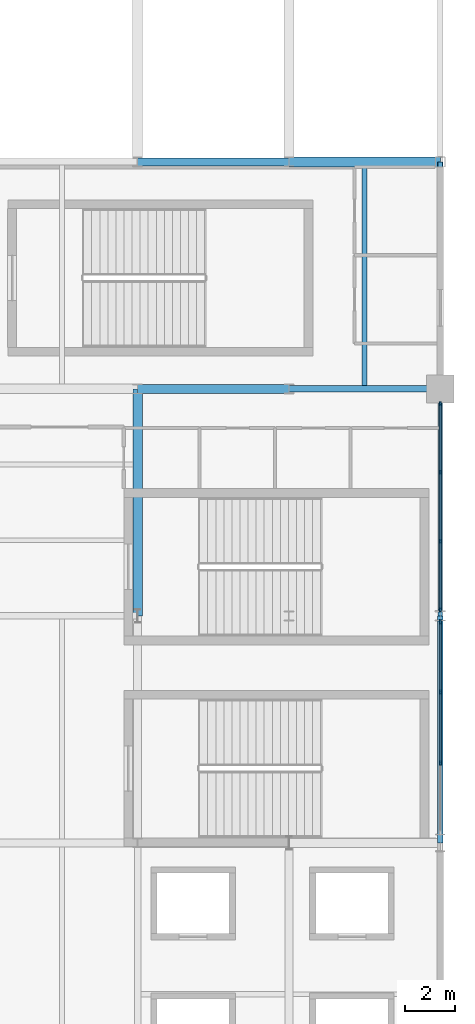
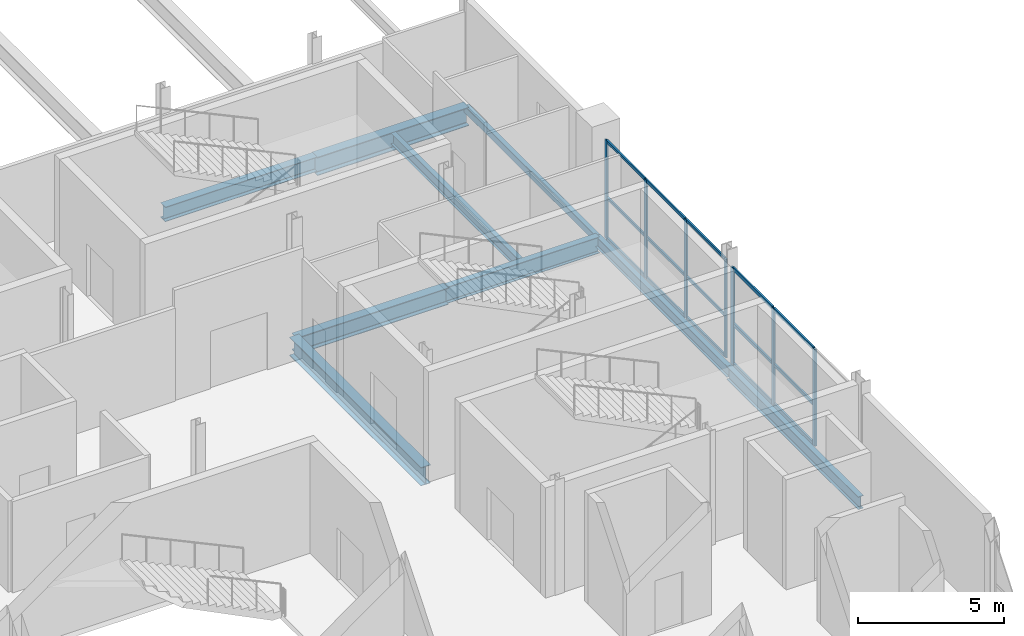
# One storey, part 157 of 224: 22 members, 9 beams, 2 elements without a shape of their own.
"""IFC4 building model written with IfcOpenShell, lengths in metres."""

from ifc_helpers import new_model, si_unit, direction, frame, origin, origin_2d, place, context, subcontext, project, spatial, rectangle, hollow_rectangle, i_section, extrude, material, layer, layer_set, material_profile, profile_set, type_object, element, aggregate, save


model = new_model("IFC4")

# Units and contexts
model_context = context("Model", 3, precision=1e-05, world=origin(), true_north=direction((0.0, 1.0)))
body_context = subcontext(model_context, "Body", "Model", "MODEL_VIEW")
ifc_project = project(units=[si_unit("LENGTHUNIT", "METRE"), si_unit("AREAUNIT", "SQUARE_METRE"), si_unit("VOLUMEUNIT", "CUBIC_METRE"), si_unit("PLANEANGLEUNIT", "RADIAN"), si_unit("MASSUNIT", "GRAM", prefix="KILO")], contexts=[model_context])

# Site, building, storey
site_placement = place(None, origin())
site = spatial("IfcSite", under=ifc_project, at=site_placement, CompositionType="ELEMENT")
building_placement = place(site_placement, origin())
building = spatial("IfcBuilding", under=site, at=building_placement, Name="Qamarlyn Nura Convention Centre", CompositionType="ELEMENT")
storey_placement = place(building_placement, frame((0.0, 0.0, 10.800048828125)))
storey = spatial("IfcBuildingStorey", under=building, at=storey_placement, Name="L02", CompositionType="ELEMENT", Elevation=10.800048828125)

# Beams
ifc_material_1 = material(Name="Steel ASTM A992", Category="steel")
ifc_material_profile_1 = material_profile(ifc_material_1, i_section(OverallWidth=0.323974609375, OverallDepth=0.611083984375, WebThickness=0.0126953125, FlangeThickness=0.01904296875, FilletRadius=0.01611328125, at=origin_2d()), Name="W610X155")
ifc_profile_set_1 = profile_set([ifc_material_profile_1], Name="Steel ASTM A992")
beam_type_1 = type_object("IfcBeamType", Name="BM-GIRD-610", PredefinedType="BEAM", material=ifc_profile_set_1)
beam_1_placement = place(storey_placement, frame((180.0, 90.0, -0.525634765625), z_axis=(1.0, 0.0, 0.0), x_axis=(0.0, 1.0, 0.0)))
element("IfcBeam", 1, at=beam_1_placement, inside=storey, type_object=beam_type_1, Name="L02 girder L 16-17", PredefinedType="BEAM", context=body_context, shape_type="SweptSolid", body=[
    extrude(i_section(OverallWidth=0.323974609375, OverallDepth=0.611083984375, WebThickness=0.0126953125, FlangeThickness=0.01904296875, FilletRadius=0.01611328125, at=origin_2d()), origin(), (0.0, 0.0, 1.0), 6.0),
])
ifc_material_profile_2 = material_profile(ifc_material_1, i_section(OverallWidth=0.35498046875, OverallDepth=0.695068359375, WebThickness=0.015380859375, FlangeThickness=0.02490234375, FilletRadius=0.01806640625, at=origin_2d()), Name="W690X217")
ifc_profile_set_2 = profile_set([ifc_material_profile_2], Name="Steel ASTM A992")
beam_type_2 = type_object("IfcBeamType", Name="BM-GIRD-690A", PredefinedType="BEAM", material=ifc_profile_set_2)
beam_2_placement = place(storey_placement, frame((180.0, 81.0, -0.567626953125), z_axis=(1.0, 0.0, 0.0), x_axis=(0.0, 1.0, 0.0)))
element("IfcBeam", 2, at=beam_2_placement, inside=storey, type_object=beam_type_2, Name="L02 girder K 16-17", PredefinedType="BEAM", context=body_context, shape_type="SweptSolid", body=[
    extrude(i_section(OverallWidth=0.35498046875, OverallDepth=0.695068359375, WebThickness=0.015380859375, FlangeThickness=0.02490234375, FilletRadius=0.01806640625, at=origin_2d()), origin(), (0.0, 0.0, 1.0), 6.0),
])
ifc_material_profile_3 = material_profile(ifc_material_1, i_section(OverallWidth=0.25390625, OverallDepth=0.68408203125, WebThickness=0.012451171875, FlangeThickness=0.01904296875, FilletRadius=0.01806640625, at=origin_2d()), Name="W690X140")
ifc_profile_set_3 = profile_set([ifc_material_profile_3], Name="Steel ASTM A992")
beam_type_3 = type_object("IfcBeamType", Name="BM-GIRD-690B", PredefinedType="BEAM", material=ifc_profile_set_3)
beam_3_placement = place(storey_placement, frame((186.0, 81.0, -0.56201171875), z_axis=(1.0, 0.0, 0.0), x_axis=(0.0, 1.0, 0.0)))
element("IfcBeam", 3, at=beam_3_placement, inside=storey, type_object=beam_type_3, Name="L02 girder K 17-18", PredefinedType="BEAM", context=body_context, shape_type="SweptSolid", body=[
    extrude(i_section(OverallWidth=0.25390625, OverallDepth=0.68408203125, WebThickness=0.012451171875, FlangeThickness=0.01904296875, FilletRadius=0.01806640625, at=origin_2d()), origin(), (0.0, 0.0, 1.0), 6.0),
])
ifc_material_profile_4 = material_profile(ifc_material_1, i_section(OverallWidth=0.381103515625, OverallDepth=0.77294921875, WebThickness=0.0166015625, FlangeThickness=0.027587890625, FilletRadius=0.02001953125, at=origin_2d()), Name="W760X257")
ifc_profile_set_4 = profile_set([ifc_material_profile_4], Name="Steel ASTM A992")
beam_type_4 = type_object("IfcBeamType", Name="BM-GIRD-760", PredefinedType="BEAM", material=ifc_profile_set_4)
beam_4_placement = place(storey_placement, frame((186.0, 90.0, -0.6064453125), z_axis=(1.0, 0.0, 0.0), x_axis=(0.0, 1.0, 0.0)))
element("IfcBeam", 4, at=beam_4_placement, inside=storey, type_object=beam_type_4, Name="L02 girder L 17-18", PredefinedType="BEAM", context=body_context, shape_type="SweptSolid", body=[
    extrude(i_section(OverallWidth=0.381103515625, OverallDepth=0.77294921875, WebThickness=0.0166015625, FlangeThickness=0.027587890625, FilletRadius=0.02001953125, at=origin_2d()), origin(), (0.0, 0.0, 1.0), 6.0),
])
beam_5_placement = place(storey_placement, frame((180.0, 72.0, -0.6064453125), z_axis=(0.0, 1.0, 0.0), x_axis=(-1.0, 0.0, 0.0)))
element("IfcBeam", 5, at=beam_5_placement, inside=storey, type_object=beam_type_4, Name="L02 girder 16 J-K", PredefinedType="BEAM", context=body_context, shape_type="SweptSolid", body=[
    extrude(i_section(OverallWidth=0.381103515625, OverallDepth=0.77294921875, WebThickness=0.0166015625, FlangeThickness=0.027587890625, FilletRadius=0.02001953125, at=origin_2d()), origin(), (0.0, 0.0, 1.0), 9.0),
])
ifc_material_profile_5 = material_profile(ifc_material_1, i_section(OverallWidth=0.18994140625, OverallDepth=0.45703125, WebThickness=0.009033203125, FlangeThickness=0.014404296875, FilletRadius=0.012939453125, at=origin_2d()), Name="W460X74")
ifc_profile_set_5 = profile_set([ifc_material_profile_5], Name="Steel ASTM A992")
beam_type_5 = type_object("IfcBeamType", Name="BM-JOIST-460", PredefinedType="JOIST", material=ifc_profile_set_5)
beam_6_placement = place(storey_placement, frame((189.0, 81.126953125, -0.448486328125), z_axis=(0.0, 1.0, 0.0), x_axis=(-1.0, 0.0, 0.0)))
element("IfcBeam", 6, at=beam_6_placement, inside=storey, type_object=beam_type_5, Name="L02 secondary joist 17-18/K-L-41", PredefinedType="JOIST", context=body_context, shape_type="SweptSolid", body=[
    extrude(i_section(OverallWidth=0.18994140625, OverallDepth=0.45703125, WebThickness=0.009033203125, FlangeThickness=0.014404296875, FilletRadius=0.012939453125, at=origin_2d()), origin(), (0.0, 0.0, 1.0), 8.6826171875),
])
ifc_material_profile_6 = material_profile(ifc_material_1, i_section(OverallWidth=0.193115234375, OverallDepth=0.466064453125, WebThickness=0.011474609375, FlangeThickness=0.01904296875, FilletRadius=0.012939453125, at=origin_2d()), Name="W460X97")
ifc_profile_set_6 = profile_set([ifc_material_profile_6], Name="Steel ASTM A992")
beam_type_6 = type_object("IfcBeamType", Name="BM-SPAN-460", PredefinedType="SPANDREL", material=ifc_profile_set_6)
beam_7_placement = place(storey_placement, frame((192.0, 72.0, -0.453125), z_axis=(0.0, 1.0, 0.0), x_axis=(-1.0, 0.0, 0.0)))
element("IfcBeam", 7, at=beam_7_placement, inside=storey, type_object=beam_type_6, Name="L02 girder 18 J-K", PredefinedType="SPANDREL", context=body_context, shape_type="SweptSolid", body=[
    extrude(i_section(OverallWidth=0.193115234375, OverallDepth=0.466064453125, WebThickness=0.011474609375, FlangeThickness=0.01904296875, FilletRadius=0.012939453125, at=origin_2d()), origin(), (0.0, 0.0, 1.0), 9.0),
])
ifc_material_profile_7 = material_profile(ifc_material_1, i_section(OverallWidth=0.2109375, OverallDepth=0.5390625, WebThickness=0.01171875, FlangeThickness=0.018798828125, FilletRadius=0.013916015625, at=origin_2d()), Name="W530X109")
ifc_profile_set_7 = profile_set([ifc_material_profile_7], Name="Steel ASTM A992")
beam_type_7 = type_object("IfcBeamType", Name="BM-SPAN-530", PredefinedType="SPANDREL", material=ifc_profile_set_7)
beam_8_placement = place(storey_placement, frame((192.0, 63.0, -0.489501953125), z_axis=(0.0, 1.0, 0.0), x_axis=(-1.0, 0.0, 0.0)))
element("IfcBeam", 8, at=beam_8_placement, inside=storey, type_object=beam_type_7, Name="L02 girder 18 H-J", PredefinedType="SPANDREL", context=body_context, shape_type="SweptSolid", body=[
    extrude(i_section(OverallWidth=0.2109375, OverallDepth=0.5390625, WebThickness=0.01171875, FlangeThickness=0.018798828125, FilletRadius=0.013916015625, at=origin_2d()), origin(), (0.0, 0.0, 1.0), 9.0),
])
ifc_material_2 = material(Name="Steel ASTM A500 Grade C", Category="steel")
ifc_material_profile_8 = material_profile(ifc_material_2, hollow_rectangle(XDim=0.199951171875, YDim=0.300048828125, WallThickness=0.012451171875, InnerFilletRadius=0.012451171875, OuterFilletRadius=0.02490234375, at=origin_2d()), Name="HSS300X200X12.5")
ifc_profile_set_8 = profile_set([ifc_material_profile_8], Name="Steel ASTM A500 Grade C")
beam_type_8 = type_object("IfcBeamType", Name="BM-SPAN-HSS", PredefinedType="SPANDREL", material=ifc_profile_set_8)
beam_9_placement = place(storey_placement, frame((192.0, 81.0, -0.3701171875), z_axis=(0.0, 1.0, 0.0), x_axis=(-1.0, 0.0, 0.0)))
element("IfcBeam", 9, at=beam_9_placement, inside=storey, type_object=beam_type_8, Name="L02 girder 18 K-L", PredefinedType="SPANDREL", context=body_context, shape_type="SweptSolid", body=[
    extrude(hollow_rectangle(XDim=0.199951171875, YDim=0.300048828125, WallThickness=0.012451171875, InnerFilletRadius=0.012451171875, OuterFilletRadius=0.02490234375, at=origin_2d()), origin(), (0.0, 0.0, 1.0), 9.0),
])

# Curtain wall, members
ifc_material_3 = material(Name="Double-silver low-E insulated glass", Category="glass")
ifc_layer_1 = layer(ifc_material_3, 0.179931640625, Name="CW-UNIT-94")
ifc_layer_set_1 = layer_set([ifc_layer_1], Name="Double-silver low-E insulated glass")
curtain_wall_type_1 = type_object("IfcCurtainWallType", Name="CW-UNIT-94", PredefinedType="NOTDEFINED", material=ifc_layer_set_1)
curtain_wall_1_placement = place(storey_placement, origin())
curtain_wall_1 = element("IfcCurtainWall", 10, at=curtain_wall_1_placement, inside=storey, type_object=curtain_wall_type_1, Name="L02 unitised curtain wall EAST-9-1", PredefinedType="NOTDEFINED")
ifc_material_4 = material(Name="Champagne-anodised marine aluminium", Category="aluminium")
ifc_material_profile_9 = material_profile(ifc_material_4, rectangle(XDim=0.06494140625, YDim=0.159912109375, at=origin_2d()), Name="ALU MULLION 65x160")
ifc_profile_set_9 = profile_set([ifc_material_profile_9], Name="Champagne-anodised marine aluminium")
member_type_1 = type_object("IfcMemberType", Name="CWM-160", PredefinedType="MULLION", material=ifc_profile_set_9)
member_1_placement = place(storey_placement, frame((192.0, 80.41748046875, 0.0), z_axis=(0.0, 0.0, 1.0), x_axis=(1.0, 0.0, 0.0)))
member_1 = element("IfcMember", 11, at=member_1_placement, type_object=member_type_1, Name="CW94 mullion 1", PredefinedType="MULLION", context=body_context, shape_type="SweptSolid", body=[
    extrude(rectangle(XDim=0.06494140625, YDim=0.159912109375, at=origin_2d()), origin(), (0.0, 0.0, 1.0), 4.118896484375),
])
member_2_placement = place(storey_placement, frame((192.0, 77.7041015625, 0.0), z_axis=(0.0, 0.0, 1.0), x_axis=(1.0, 0.0, 0.0)))
member_2 = element("IfcMember", 12, at=member_2_placement, type_object=member_type_1, Name="CW94 mullion 2", PredefinedType="MULLION", context=body_context, shape_type="SweptSolid", body=[
    extrude(rectangle(XDim=0.06494140625, YDim=0.159912109375, at=origin_2d()), origin(), (0.0, 0.0, 1.0), 4.118896484375),
])
member_3_placement = place(storey_placement, frame((192.0, 74.958251953125, 0.0), z_axis=(0.0, 0.0, 1.0), x_axis=(1.0, 0.0, 0.0)))
member_3 = element("IfcMember", 13, at=member_3_placement, type_object=member_type_1, Name="CW94 mullion 3", PredefinedType="MULLION", context=body_context, shape_type="SweptSolid", body=[
    extrude(rectangle(XDim=0.06494140625, YDim=0.159912109375, at=origin_2d()), origin(), (0.0, 0.0, 1.0), 4.118896484375),
])
member_4_placement = place(storey_placement, frame((192.0, 72.2451171875, 0.0), z_axis=(0.0, 0.0, 1.0), x_axis=(1.0, 0.0, 0.0)))
member_4 = element("IfcMember", 14, at=member_4_placement, type_object=member_type_1, Name="CW94 mullion 4", PredefinedType="MULLION", context=body_context, shape_type="SweptSolid", body=[
    extrude(rectangle(XDim=0.06494140625, YDim=0.159912109375, at=origin_2d()), origin(), (0.0, 0.0, 1.0), 4.118896484375),
])

ifc_layer_2 = layer(ifc_material_3, 0.179931640625, Name="CW-UNIT-95")
ifc_layer_set_2 = layer_set([ifc_layer_2], Name="Double-silver low-E insulated glass")
curtain_wall_type_2 = type_object("IfcCurtainWallType", Name="CW-UNIT-95", PredefinedType="NOTDEFINED", material=ifc_layer_set_2)
curtain_wall_2_placement = place(storey_placement, origin())
curtain_wall_2 = element("IfcCurtainWall", 15, at=curtain_wall_2_placement, inside=storey, type_object=curtain_wall_type_2, Name="L02 unitised curtain wall EAST-8-1", PredefinedType="NOTDEFINED")
ifc_material_profile_10 = material_profile(ifc_material_4, rectangle(XDim=0.070068359375, YDim=0.179931640625, at=origin_2d()), Name="ALU MULLION 70x180")
ifc_profile_set_10 = profile_set([ifc_material_profile_10], Name="Champagne-anodised marine aluminium")
member_type_2 = type_object("IfcMemberType", Name="CWM-180", PredefinedType="MULLION", material=ifc_profile_set_10)
member_5_placement = place(storey_placement, frame((192.0, 71.75244140625, 0.0), z_axis=(0.0, 0.0, 1.0), x_axis=(1.0, 0.0, 0.0)))
member_5 = element("IfcMember", 16, at=member_5_placement, type_object=member_type_2, Name="CW95 mullion 1", PredefinedType="MULLION", context=body_context, shape_type="SweptSolid", body=[
    extrude(rectangle(XDim=0.070068359375, YDim=0.179931640625, at=origin_2d()), origin(), (0.0, 0.0, 1.0), 4.0458984375),
])
member_6_placement = place(storey_placement, frame((192.0, 68.97412109375, 0.0), z_axis=(0.0, 0.0, 1.0), x_axis=(1.0, 0.0, 0.0)))
member_6 = element("IfcMember", 17, at=member_6_placement, type_object=member_type_2, Name="CW95 mullion 2", PredefinedType="MULLION", context=body_context, shape_type="SweptSolid", body=[
    extrude(rectangle(XDim=0.070068359375, YDim=0.179931640625, at=origin_2d()), origin(), (0.0, 0.0, 1.0), 4.0458984375),
])
member_7_placement = place(storey_placement, frame((192.0, 66.160888671875, 0.0), z_axis=(0.0, 0.0, 1.0), x_axis=(1.0, 0.0, 0.0)))
member_7 = element("IfcMember", 18, at=member_7_placement, type_object=member_type_2, Name="CW95 mullion 3", PredefinedType="MULLION", context=body_context, shape_type="SweptSolid", body=[
    extrude(rectangle(XDim=0.070068359375, YDim=0.179931640625, at=origin_2d()), origin(), (0.0, 0.0, 1.0), 4.0458984375),
])

# Member
ifc_material_profile_11 = material_profile(ifc_material_4, rectangle(XDim=0.06494140625, YDim=0.1201171875, at=origin_2d()), Name="ALU TRANSOM 65x120")
ifc_profile_set_11 = profile_set([ifc_material_profile_11], Name="Champagne-anodised marine aluminium")
member_type_3 = type_object("IfcMemberType", Name="CWT-120", PredefinedType="USERDEFINED", material=ifc_profile_set_11)
member_8_placement = place(storey_placement, frame((192.0, 80.385009765625, 0.032470703125), z_axis=(0.0, -1.0, 0.0), x_axis=(1.0, 0.0, 0.0)))
member_8 = element("IfcMember", 19, at=member_8_placement, type_object=member_type_3, Name="CW94 transom 1.1", ObjectType="TRANSOM", PredefinedType="USERDEFINED", context=body_context, shape_type="SweptSolid", body=[
    extrude(rectangle(XDim=0.06494140625, YDim=0.1201171875, at=origin_2d()), origin(), (0.0, 0.0, 1.0), 2.6484375),
])

member_9_placement = place(storey_placement, frame((192.0, 80.385009765625, 1.72998046875), z_axis=(0.0, -1.0, 0.0), x_axis=(1.0, 0.0, 0.0)))
member_9 = element("IfcMember", 20, at=member_9_placement, type_object=member_type_3, Name="CW94 transom 1.2", ObjectType="TRANSOM", PredefinedType="USERDEFINED", context=body_context, shape_type="SweptSolid", body=[
    extrude(rectangle(XDim=0.06494140625, YDim=0.1201171875, at=origin_2d()), origin(), (0.0, 0.0, 1.0), 2.6484375),
])

member_10_placement = place(storey_placement, frame((192.0, 80.385009765625, 4.08642578125), z_axis=(0.0, -1.0, 0.0), x_axis=(1.0, 0.0, 0.0)))
member_10 = element("IfcMember", 21, at=member_10_placement, type_object=member_type_3, Name="CW94 transom 1.3", ObjectType="TRANSOM", PredefinedType="USERDEFINED", context=body_context, shape_type="SweptSolid", body=[
    extrude(rectangle(XDim=0.06494140625, YDim=0.1201171875, at=origin_2d()), origin(), (0.0, 0.0, 1.0), 2.6484375),
])

member_11_placement = place(storey_placement, frame((192.0, 77.671630859375, 0.032470703125), z_axis=(0.0, -1.0, 0.0), x_axis=(1.0, 0.0, 0.0)))
member_11 = element("IfcMember", 22, at=member_11_placement, type_object=member_type_3, Name="CW94 transom 2.1", ObjectType="TRANSOM", PredefinedType="USERDEFINED", context=body_context, shape_type="SweptSolid", body=[
    extrude(rectangle(XDim=0.06494140625, YDim=0.1201171875, at=origin_2d()), origin(), (0.0, 0.0, 1.0), 2.680908203125),
])

member_12_placement = place(storey_placement, frame((192.0, 77.671630859375, 1.72998046875), z_axis=(0.0, -1.0, 0.0), x_axis=(1.0, 0.0, 0.0)))
member_12 = element("IfcMember", 23, at=member_12_placement, type_object=member_type_3, Name="CW94 transom 2.2", ObjectType="TRANSOM", PredefinedType="USERDEFINED", context=body_context, shape_type="SweptSolid", body=[
    extrude(rectangle(XDim=0.06494140625, YDim=0.1201171875, at=origin_2d()), origin(), (0.0, 0.0, 1.0), 2.680908203125),
])

member_13_placement = place(storey_placement, frame((192.0, 77.671630859375, 4.08642578125), z_axis=(0.0, -1.0, 0.0), x_axis=(1.0, 0.0, 0.0)))
member_13 = element("IfcMember", 24, at=member_13_placement, type_object=member_type_3, Name="CW94 transom 2.3", ObjectType="TRANSOM", PredefinedType="USERDEFINED", context=body_context, shape_type="SweptSolid", body=[
    extrude(rectangle(XDim=0.06494140625, YDim=0.1201171875, at=origin_2d()), origin(), (0.0, 0.0, 1.0), 2.680908203125),
])

member_14_placement = place(storey_placement, frame((192.0, 74.92578125, 0.032470703125), z_axis=(0.0, -1.0, 0.0), x_axis=(1.0, 0.0, 0.0)))
member_14 = element("IfcMember", 25, at=member_14_placement, type_object=member_type_3, Name="CW94 transom 3.1", ObjectType="TRANSOM", PredefinedType="USERDEFINED", context=body_context, shape_type="SweptSolid", body=[
    extrude(rectangle(XDim=0.06494140625, YDim=0.1201171875, at=origin_2d()), origin(), (0.0, 0.0, 1.0), 2.648193359375),
])

member_15_placement = place(storey_placement, frame((192.0, 74.92578125, 1.72998046875), z_axis=(0.0, -1.0, 0.0), x_axis=(1.0, 0.0, 0.0)))
member_15 = element("IfcMember", 26, at=member_15_placement, type_object=member_type_3, Name="CW94 transom 3.2", ObjectType="TRANSOM", PredefinedType="USERDEFINED", context=body_context, shape_type="SweptSolid", body=[
    extrude(rectangle(XDim=0.06494140625, YDim=0.1201171875, at=origin_2d()), origin(), (0.0, 0.0, 1.0), 2.648193359375),
])

member_16_placement = place(storey_placement, frame((192.0, 74.92578125, 4.08642578125), z_axis=(0.0, -1.0, 0.0), x_axis=(1.0, 0.0, 0.0)))
member_16 = element("IfcMember", 27, at=member_16_placement, type_object=member_type_3, Name="CW94 transom 3.3", ObjectType="TRANSOM", PredefinedType="USERDEFINED", context=body_context, shape_type="SweptSolid", body=[
    extrude(rectangle(XDim=0.06494140625, YDim=0.1201171875, at=origin_2d()), origin(), (0.0, 0.0, 1.0), 2.648193359375),
])

aggregate(curtain_wall_1, [member_1, member_2, member_3, member_4, member_8, member_9, member_10, member_11, member_12, member_13, member_14, member_15, member_16])

ifc_material_profile_12 = material_profile(ifc_material_4, rectangle(XDim=0.070068359375, YDim=0.139892578125, at=origin_2d()), Name="ALU TRANSOM 70x140")
ifc_profile_set_12 = profile_set([ifc_material_profile_12], Name="Champagne-anodised marine aluminium")
member_type_4 = type_object("IfcMemberType", Name="CWT-140", PredefinedType="USERDEFINED", material=ifc_profile_set_12)
member_17_placement = place(storey_placement, frame((192.0, 71.717529296875, 0.034912109375), z_axis=(0.0, -1.0, 0.0), x_axis=(1.0, 0.0, 0.0)))
member_17 = element("IfcMember", 28, at=member_17_placement, type_object=member_type_4, Name="CW95 transom 1.1", ObjectType="TRANSOM", PredefinedType="USERDEFINED", context=body_context, shape_type="SweptSolid", body=[
    extrude(rectangle(XDim=0.070068359375, YDim=0.139892578125, at=origin_2d()), origin(), (0.0, 0.0, 1.0), 2.708251953125),
])

member_18_placement = place(storey_placement, frame((192.0, 71.717529296875, 1.698974609375), z_axis=(0.0, -1.0, 0.0), x_axis=(1.0, 0.0, 0.0)))
member_18 = element("IfcMember", 29, at=member_18_placement, type_object=member_type_4, Name="CW95 transom 1.2", ObjectType="TRANSOM", PredefinedType="USERDEFINED", context=body_context, shape_type="SweptSolid", body=[
    extrude(rectangle(XDim=0.070068359375, YDim=0.139892578125, at=origin_2d()), origin(), (0.0, 0.0, 1.0), 2.708251953125),
])

member_19_placement = place(storey_placement, frame((192.0, 71.717529296875, 4.010986328125), z_axis=(0.0, -1.0, 0.0), x_axis=(1.0, 0.0, 0.0)))
member_19 = element("IfcMember", 30, at=member_19_placement, type_object=member_type_4, Name="CW95 transom 1.3", ObjectType="TRANSOM", PredefinedType="USERDEFINED", context=body_context, shape_type="SweptSolid", body=[
    extrude(rectangle(XDim=0.070068359375, YDim=0.139892578125, at=origin_2d()), origin(), (0.0, 0.0, 1.0), 2.708251953125),
])

member_20_placement = place(storey_placement, frame((192.0, 68.939208984375, 0.034912109375), z_axis=(0.0, -1.0, 0.0), x_axis=(1.0, 0.0, 0.0)))
member_20 = element("IfcMember", 31, at=member_20_placement, type_object=member_type_4, Name="CW95 transom 2.1", ObjectType="TRANSOM", PredefinedType="USERDEFINED", context=body_context, shape_type="SweptSolid", body=[
    extrude(rectangle(XDim=0.070068359375, YDim=0.139892578125, at=origin_2d()), origin(), (0.0, 0.0, 1.0), 2.743408203125),
])

member_21_placement = place(storey_placement, frame((192.0, 68.939208984375, 1.698974609375), z_axis=(0.0, -1.0, 0.0), x_axis=(1.0, 0.0, 0.0)))
member_21 = element("IfcMember", 32, at=member_21_placement, type_object=member_type_4, Name="CW95 transom 2.2", ObjectType="TRANSOM", PredefinedType="USERDEFINED", context=body_context, shape_type="SweptSolid", body=[
    extrude(rectangle(XDim=0.070068359375, YDim=0.139892578125, at=origin_2d()), origin(), (0.0, 0.0, 1.0), 2.743408203125),
])

member_22_placement = place(storey_placement, frame((192.0, 68.939208984375, 4.010986328125), z_axis=(0.0, -1.0, 0.0), x_axis=(1.0, 0.0, 0.0)))
member_22 = element("IfcMember", 33, at=member_22_placement, type_object=member_type_4, Name="CW95 transom 2.3", ObjectType="TRANSOM", PredefinedType="USERDEFINED", context=body_context, shape_type="SweptSolid", body=[
    extrude(rectangle(XDim=0.070068359375, YDim=0.139892578125, at=origin_2d()), origin(), (0.0, 0.0, 1.0), 2.743408203125),
])

aggregate(curtain_wall_2, [member_5, member_6, member_7, member_17, member_18, member_19, member_20, member_21, member_22])

save(model, "model.ifc")
